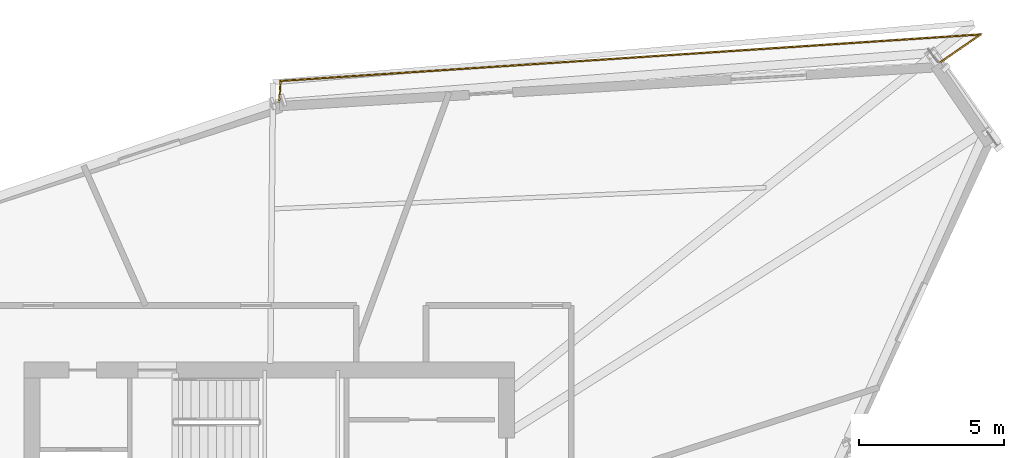
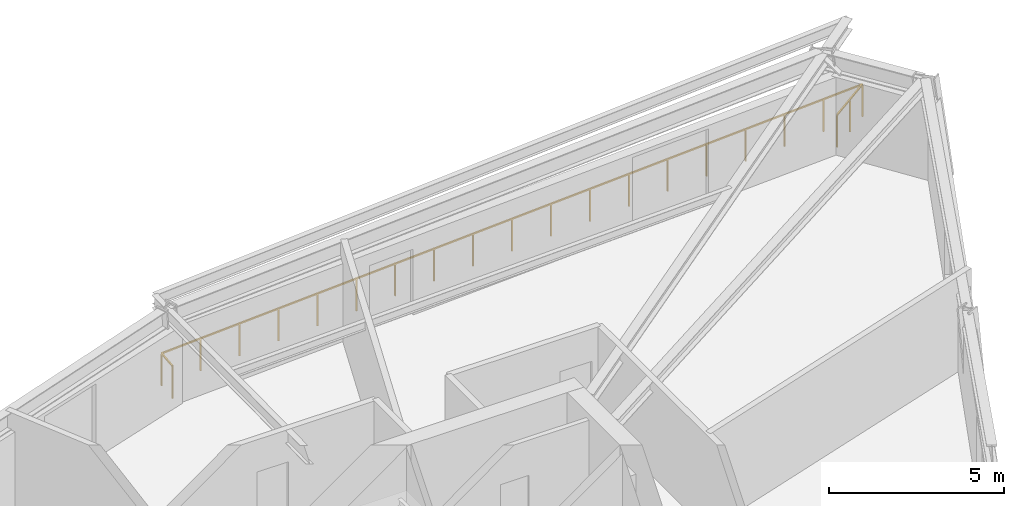
# One storey, part 13 of 13: 1 railing.
"""IFC4 building model written with IfcOpenShell, lengths in metres."""

from ifc_helpers import new_model, si_unit, direction, frame, origin, origin_2d, place, context, subcontext, project, spatial, rectangle, extrude, material, type_object, element, save


model = new_model("IFC4")

# Units and contexts
model_context = context("Model", 3, precision=1e-05, world=origin(), true_north=direction((0.0, 1.0)))
body_context = subcontext(model_context, "Body", "Model", "MODEL_VIEW")
ifc_project = project(units=[si_unit("LENGTHUNIT", "METRE"), si_unit("AREAUNIT", "SQUARE_METRE"), si_unit("VOLUMEUNIT", "CUBIC_METRE"), si_unit("PLANEANGLEUNIT", "RADIAN"), si_unit("MASSUNIT", "GRAM", prefix="KILO")], contexts=[model_context])

# Site, building, storey
site_placement = place(None, origin())
site = spatial("IfcSite", under=ifc_project, at=site_placement, CompositionType="ELEMENT")
building_placement = place(site_placement, origin())
building = spatial("IfcBuilding", under=site, at=building_placement, Name="Olszyna Solenne Hotel", CompositionType="ELEMENT")
storey_placement = place(building_placement, frame((0.0, 0.0, 175.0)))
storey = spatial("IfcBuildingStorey", under=building, at=storey_placement, Name="L46", CompositionType="ELEMENT", Elevation=175.0)

# Railing
ifc_material = material(Name="Anodised bronze aluminium", Category="aluminium")
railing_type = type_object("IfcRailingType", Name="GR-110", PredefinedType="BALUSTRADE", material=ifc_material)
railing_placement = place(storey_placement, frame((61.108154296875, 44.57470703125, 0.0)))
element("IfcRailing", 1, at=railing_placement, inside=storey, type_object=railing_type, Name="Loggia balcony balustrade guard GR-L46-LG1", PredefinedType="BALUSTRADE", context=body_context, shape_type="SweptSolid", body=[
    extrude(rectangle(XDim=0.048095703125, YDim=0.048095703125, at=origin_2d()), frame((0.0, 0.0, 1.1259765625), z_axis=(0.822949909027, 0.568113938601, 0.0), x_axis=(-0.568113938601, 0.822949909027, 0.0)), (0.0, 0.0, 1.0), 1.69189453125),
    extrude(rectangle(XDim=0.048095703125, YDim=0.048095703125, at=origin_2d()), frame((1.392333984375, 0.961181640625, 1.1259765625), z_axis=(-0.997802469782, -0.066258820519, 0.0), x_axis=(0.066258820519, -0.997802469782, 0.0)), (0.0, 0.0, 1.0), 24.1640625),
    extrude(rectangle(XDim=0.048095703125, YDim=0.048095703125, at=origin_2d()), frame((-22.718505859375, -0.639892578125, 1.1259765625), z_axis=(-0.06368556488, -0.997970013991, 0.0), x_axis=(0.997970013991, -0.06368556488, 0.0)), (0.0, 0.0, 1.0), 0.709228515625),
    extrude(rectangle(XDim=0.0419921875, YDim=0.0419921875, at=origin_2d()), origin(), (0.0, 0.0, 1.0), 1.101806640625),
    extrude(rectangle(XDim=0.0419921875, YDim=0.0419921875, at=origin_2d()), frame((0.6962890625, 0.48046875, 0.0)), (0.0, 0.0, 1.0), 1.101806640625),
    extrude(rectangle(XDim=0.0419921875, YDim=0.0419921875, at=origin_2d()), frame((1.392333984375, 0.961181640625, 0.0)), (0.0, 0.0, 1.0), 1.101806640625),
    extrude(rectangle(XDim=0.0419921875, YDim=0.0419921875, at=origin_2d()), frame((0.052734375, 0.872314453125, 0.0)), (0.0, 0.0, 1.0), 1.101806640625),
    extrude(rectangle(XDim=0.0419921875, YDim=0.0419921875, at=origin_2d()), frame((-1.28662109375, 0.783203125, 0.0)), (0.0, 0.0, 1.0), 1.101806640625),
    extrude(rectangle(XDim=0.0419921875, YDim=0.0419921875, at=origin_2d()), frame((-2.626220703125, 0.6943359375, 0.0)), (0.0, 0.0, 1.0), 1.101806640625),
    extrude(rectangle(XDim=0.0419921875, YDim=0.0419921875, at=origin_2d()), frame((-3.965576171875, 0.60546875, 0.0)), (0.0, 0.0, 1.0), 1.101806640625),
    extrude(rectangle(XDim=0.0419921875, YDim=0.0419921875, at=origin_2d()), frame((-5.30517578125, 0.516357421875, 0.0)), (0.0, 0.0, 1.0), 1.101806640625),
    extrude(rectangle(XDim=0.0419921875, YDim=0.0419921875, at=origin_2d()), frame((-6.64453125, 0.427490234375, 0.0)), (0.0, 0.0, 1.0), 1.101806640625),
    extrude(rectangle(XDim=0.0419921875, YDim=0.0419921875, at=origin_2d()), frame((-7.984130859375, 0.338623046875, 0.0)), (0.0, 0.0, 1.0), 1.101806640625),
    extrude(rectangle(XDim=0.0419921875, YDim=0.0419921875, at=origin_2d()), frame((-9.323486328125, 0.24951171875, 0.0)), (0.0, 0.0, 1.0), 1.101806640625),
    extrude(rectangle(XDim=0.0419921875, YDim=0.0419921875, at=origin_2d()), frame((-10.6630859375, 0.16064453125, 0.0)), (0.0, 0.0, 1.0), 1.101806640625),
    extrude(rectangle(XDim=0.0419921875, YDim=0.0419921875, at=origin_2d()), frame((-12.002685546875, 0.07177734375, 0.0)), (0.0, 0.0, 1.0), 1.101806640625),
    extrude(rectangle(XDim=0.0419921875, YDim=0.0419921875, at=origin_2d()), frame((-13.342041015625, -0.017333984375, 0.0)), (0.0, 0.0, 1.0), 1.101806640625),
    extrude(rectangle(XDim=0.0419921875, YDim=0.0419921875, at=origin_2d()), frame((-14.681640625, -0.106201171875, 0.0)), (0.0, 0.0, 1.0), 1.101806640625),
    extrude(rectangle(XDim=0.0419921875, YDim=0.0419921875, at=origin_2d()), frame((-16.02099609375, -0.195068359375, 0.0)), (0.0, 0.0, 1.0), 1.101806640625),
    extrude(rectangle(XDim=0.0419921875, YDim=0.0419921875, at=origin_2d()), frame((-17.360595703125, -0.2841796875, 0.0)), (0.0, 0.0, 1.0), 1.101806640625),
    extrude(rectangle(XDim=0.0419921875, YDim=0.0419921875, at=origin_2d()), frame((-18.699951171875, -0.373046875, 0.0)), (0.0, 0.0, 1.0), 1.101806640625),
    extrude(rectangle(XDim=0.0419921875, YDim=0.0419921875, at=origin_2d()), frame((-20.03955078125, -0.4619140625, 0.0)), (0.0, 0.0, 1.0), 1.101806640625),
    extrude(rectangle(XDim=0.0419921875, YDim=0.0419921875, at=origin_2d()), frame((-21.37890625, -0.551025390625, 0.0)), (0.0, 0.0, 1.0), 1.101806640625),
    extrude(rectangle(XDim=0.0419921875, YDim=0.0419921875, at=origin_2d()), frame((-22.718505859375, -0.639892578125, 0.0)), (0.0, 0.0, 1.0), 1.101806640625),
    extrude(rectangle(XDim=0.0419921875, YDim=0.0419921875, at=origin_2d()), frame((-22.763671875, -1.34765625, 0.0)), (0.0, 0.0, 1.0), 1.101806640625),
])

save(model, "model.ifc")
